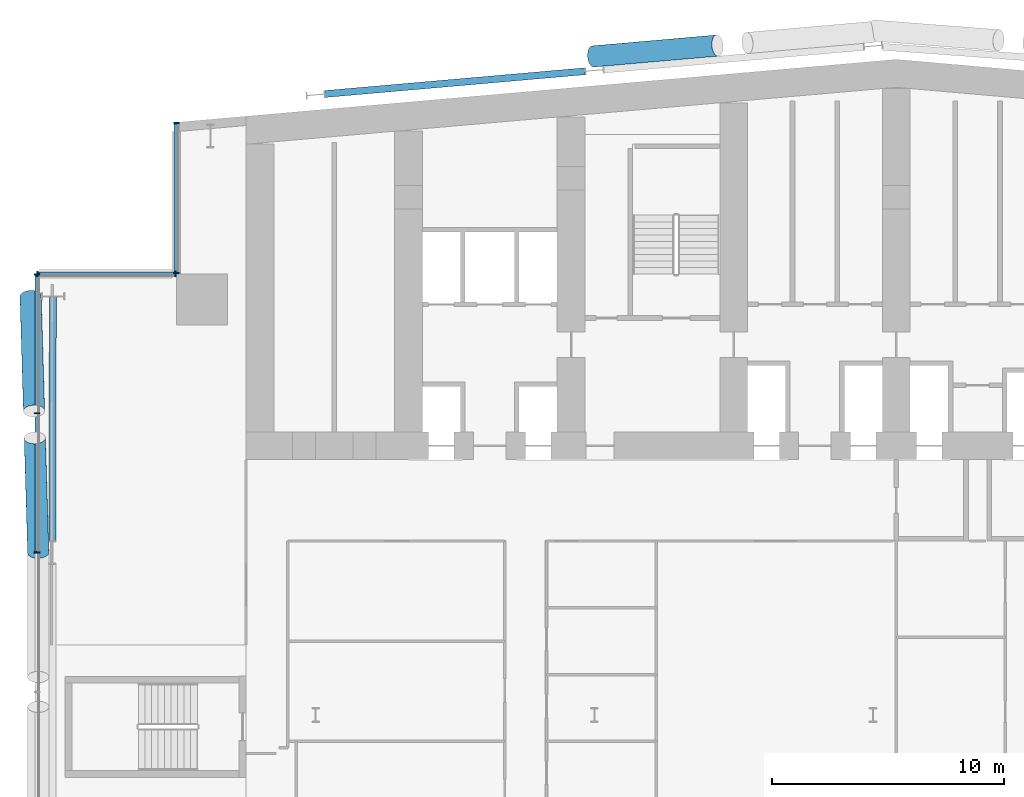
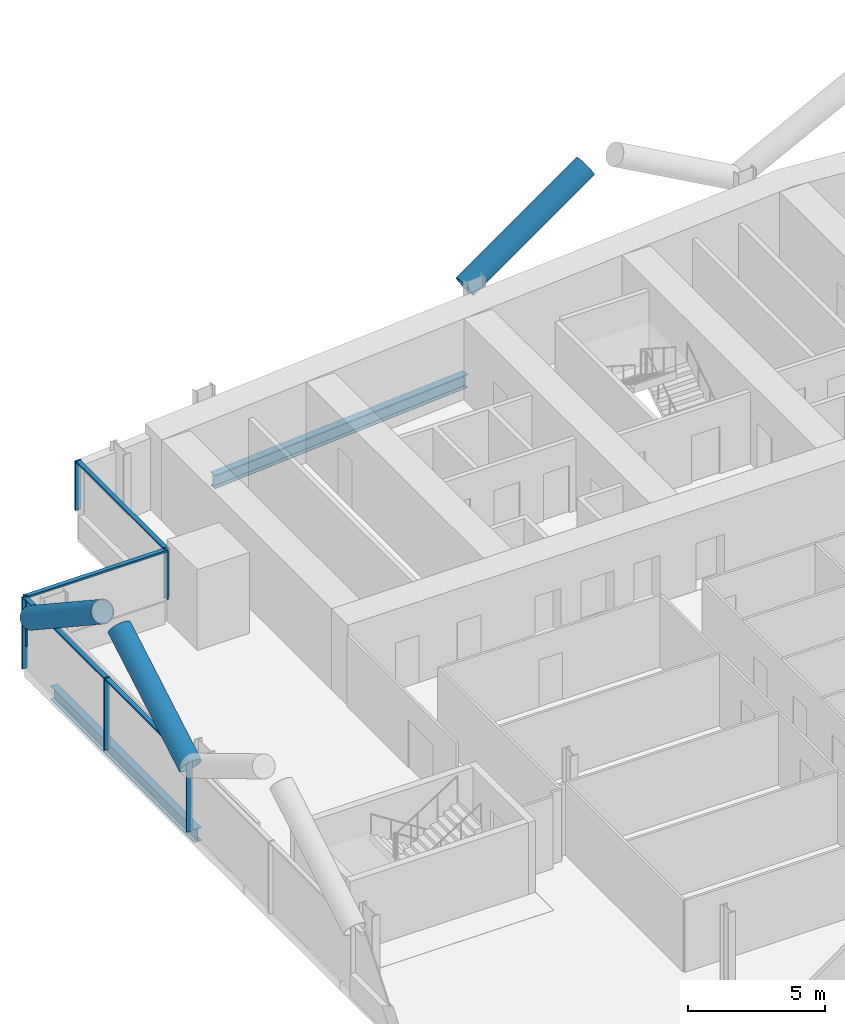
# One storey, part 7 of 27: 14 members, 2 beams, 3 elements without a shape of their own.
"""IFC4 building model written with IfcOpenShell, lengths in metres."""

import ifcopenshell
import ifcopenshell.guid

model = None  # the IFC model being written
_history = None  # IfcOwnerHistory: only IFC2X3 demands one
_inside = {}  # id of a spatial element -> (the spatial element, [elements in it])
_under = {}  # id of a project, library or spatial element -> (it, [spatial elements below it])
_declared = {}  # id of a project -> (the project, [libraries it declares])
_typed = {}  # id of a type object -> (the type object, [elements of that type])
_made_of = {}  # id of a material, layer set ... -> (it, [elements and type objects made of it])


def new_model(schema):
    """Start an empty IFC model of exactly this schema.

    Asked for "IFC4X3", IfcOpenShell would pick the latest addendum, in which some entities
    have other attributes; the version numbers below select the first issue.
    IFC2X3 requires an IfcOwnerHistory on every rooted entity: one is made here for all.
    """
    global model, _history
    if schema == "IFC4X3":
        model = ifcopenshell.file(schema_version=(4, 3, 0, 0))
    else:
        model = ifcopenshell.file(schema=schema)
    _inside.clear()
    _under.clear()
    _declared.clear()
    _typed.clear()
    _made_of.clear()
    _history = None
    if model.schema == "IFC2X3":
        org = make("IfcOrganization", Name="unknown")
        user = make(
            "IfcPersonAndOrganization",
            ThePerson=make("IfcPerson", FamilyName="unknown"),
            TheOrganization=org,
        )
        app = make(
            "IfcApplication",
            ApplicationDeveloper=org,
            Version="unknown",
            ApplicationFullName="unknown",
            ApplicationIdentifier="unknown",
        )
        _history = make(
            "IfcOwnerHistory",
            OwningUser=user,
            OwningApplication=app,
            ChangeAction="ADDED",
            CreationDate=0,
        )
    return model


def make(cls, **values):
    """One entity of the class cls with the attributes given. An attribute that is None is left unset."""
    return model.create_entity(
        cls, **{name: value for name, value in values.items() if value is not None}
    )


def rooted(cls, **values):
    """An entity with a GlobalId (a new one), such as an element, a storey or a relation."""
    return make(cls, GlobalId=ifcopenshell.guid.new(), OwnerHistory=_history, **values)


def si_unit(unit_type, name, prefix=None):
    """IfcSIUnit, for example si_unit("LENGTHUNIT", "METRE", prefix="MILLI")."""
    return make("IfcSIUnit", UnitType=unit_type, Prefix=prefix, Name=name)


def assignment(units):
    """IfcUnitAssignment: the units of a project."""
    return None if units is None else make("IfcUnitAssignment", Units=units)


def point(xyz):
    """IfcCartesianPoint."""
    return None if xyz is None else make("IfcCartesianPoint", Coordinates=xyz)


def direction(xyz):
    """IfcDirection."""
    return None if xyz is None else make("IfcDirection", DirectionRatios=xyz)


def frame(location, z_axis=None, x_axis=None):
    """IfcAxis2Placement3D, a coordinate frame: its origin and axes. An axis left out is left unset."""
    return make(
        "IfcAxis2Placement3D",
        Location=point(location),
        Axis=direction(z_axis),
        RefDirection=direction(x_axis),
    )


def frame_2d(location, x_axis=None):
    """IfcAxis2Placement2D, a coordinate frame in the plane: its origin and x axis."""
    return make(
        "IfcAxis2Placement2D", Location=point(location), RefDirection=direction(x_axis)
    )


def origin():
    """The frame at (0, 0, 0) with its axes left unset."""
    return frame((0.0, 0.0, 0.0))


def origin_2d():
    """The frame at (0, 0) in the plane with its x axis left unset."""
    return frame_2d((0.0, 0.0))


def place(relative_to, where):
    """IfcLocalPlacement: puts the frame where relative to a parent placement (None: the world)."""
    return make(
        "IfcLocalPlacement", PlacementRelTo=relative_to, RelativePlacement=where
    )


def context(
    kind, dimensions, precision=None, world=None, true_north=None, identifier=None
):
    """IfcGeometricRepresentationContext, for example the 3D "Model" context."""
    return make(
        "IfcGeometricRepresentationContext",
        ContextIdentifier=identifier,
        ContextType=kind,
        CoordinateSpaceDimension=dimensions,
        Precision=precision,
        WorldCoordinateSystem=world,
        TrueNorth=true_north,
    )


def subcontext(parent, identifier, kind, view, scale=None):
    """IfcGeometricRepresentationSubContext, for example "Body" below "Model"."""
    return make(
        "IfcGeometricRepresentationSubContext",
        ContextIdentifier=identifier,
        ContextType=kind,
        ParentContext=parent,
        TargetScale=scale,
        TargetView=view,
    )


def project(units=None, contexts=None):
    """IfcProject with its units and contexts."""
    return rooted(
        "IfcProject",
        Name="project",
        RepresentationContexts=contexts,
        UnitsInContext=assignment(units),
    )


def spatial(cls, under=None, at=None, **own):
    """A site, building, storey or space (cls), placed at a placement, below another one or the project."""
    s = rooted(cls, ObjectPlacement=at, **own)
    if under is not None:
        _under.setdefault(under.id(), (under, []))[1].append(s)
    return s


def profile(cls, at=None, kind="AREA", **sizes):
    """A parametric profile (cls). Its sizes go by their IFC names, for example OverallWidth=200.0."""
    return make(cls, ProfileType=kind, Position=at, **sizes)


def rectangle(**sizes):
    """IfcRectangleProfileDef."""
    return profile("IfcRectangleProfileDef", **sizes)


def hollow_circle(**sizes):
    """IfcCircleHollowProfileDef."""
    return profile("IfcCircleHollowProfileDef", **sizes)


def i_section(**sizes):
    """IfcIShapeProfileDef."""
    return profile("IfcIShapeProfileDef", **sizes)


def extrude(swept, where, along, depth):
    """IfcExtrudedAreaSolid: the profile swept, set in the frame where, extruded along a direction by depth."""
    return make(
        "IfcExtrudedAreaSolid",
        SweptArea=swept,
        Position=where,
        ExtrudedDirection=direction(along),
        Depth=depth,
    )


def shape(context_of_items, identifier, shape_type, items):
    """IfcShapeRepresentation: the items that make up one representation, for example the "Body"."""
    return make(
        "IfcShapeRepresentation",
        ContextOfItems=context_of_items,
        RepresentationIdentifier=identifier,
        RepresentationType=shape_type,
        Items=items,
    )


def material(Name=None, Category=None):
    """IfcMaterial."""
    return make("IfcMaterial", Name=Name, Category=Category)


def material_profile(
    of_material, cross_section, Name=None, Category=None, Priority=None
):
    """IfcMaterialProfile: a cross section and its material."""
    return make(
        "IfcMaterialProfile",
        Name=Name,
        Material=of_material,
        Profile=cross_section,
        Priority=Priority,
        Category=Category,
    )


def profile_set(profiles, Name=None, composite=None):
    """IfcMaterialProfileSet."""
    return make(
        "IfcMaterialProfileSet",
        Name=Name,
        MaterialProfiles=profiles,
        CompositeProfile=composite,
    )


def made_of(thing, what):
    """Note that an element or type object is made of a material, layer set ...; save() writes the relation."""
    if what is not None:
        _made_of.setdefault(what.id(), (what, []))[1].append(thing)
    return thing


def type_object(cls, material=None, **own):
    """A type object (cls), such as IfcWallType, which elements share."""
    return made_of(rooted(cls, **own), material)


def element(
    cls,
    number,
    at=None,
    inside=None,
    cuts=None,
    type_object=None,
    material=None,
    context=None,
    identifier="Body",
    shape_type=None,
    held_by="IfcProductDefinitionShape",
    body=None,
    shapes=None,
    **own,
):
    """One element of the class cls, such as IfcWall. Its Tag is "e" and its number.

    at: its placement. inside: the storey or other place that contains it. cuts: it is an
    opening in that element (IfcRelVoidsElement). A single representation is given by context,
    identifier, shape_type and body (its items); several are given by shapes. held_by: the class
    of the entity that holds the representations. save() writes the other relations.
    """
    e = rooted(cls, Tag="e%d" % number, ObjectPlacement=at, **own)
    if body is not None:
        shapes = [shape(context, identifier, shape_type, body)]
    if shapes is not None:
        e.Representation = make(held_by, Representations=shapes)
    if inside is not None:
        _inside.setdefault(inside.id(), (inside, []))[1].append(e)
    if cuts is not None:
        rooted(
            "IfcRelVoidsElement", RelatingBuildingElement=cuts, RelatedOpeningElement=e
        )
    if type_object is not None:
        _typed.setdefault(type_object.id(), (type_object, []))[1].append(e)
    return made_of(e, material)


def aggregate(whole, parts):
    """IfcRelAggregates: a whole, such as a stair, and the parts it consists of."""
    return rooted("IfcRelAggregates", RelatingObject=whole, RelatedObjects=parts)


def save(model, path):
    """Write the relations noted so far, then the file.

    IfcRelAggregates (storeys below a building ...), IfcRelContainedInSpatialStructure (elements
    in a storey), IfcRelDefinesByType, IfcRelAssociatesMaterial and IfcRelDeclares: one each for
    every whole, place, type object, material and project.
    """
    for whole, parts in _under.values():
        aggregate(whole, parts)
    for where, things in _inside.values():
        rooted(
            "IfcRelContainedInSpatialStructure",
            RelatedElements=things,
            RelatingStructure=where,
        )
    for kind, things in _typed.values():
        rooted("IfcRelDefinesByType", RelatedObjects=things, RelatingType=kind)
    for what, things in _made_of.values():
        rooted("IfcRelAssociatesMaterial", RelatedObjects=things, RelatingMaterial=what)
    for by, libraries in _declared.values():
        rooted("IfcRelDeclares", RelatingContext=by, RelatedDefinitions=libraries)
    model.write(path)


model = new_model("IFC4")

# Units and contexts
model_context = context("Model", 3, precision=1e-05, world=origin(), true_north=direction((0.0, 1.0)))
body_context = subcontext(model_context, "Body", "Model", "MODEL_VIEW")
ifc_project = project(units=[si_unit("LENGTHUNIT", "METRE"), si_unit("AREAUNIT", "SQUARE_METRE"), si_unit("VOLUMEUNIT", "CUBIC_METRE"), si_unit("PLANEANGLEUNIT", "RADIAN"), si_unit("MASSUNIT", "GRAM", prefix="KILO")], contexts=[model_context])

# Site, building, storey
site_placement = place(None, origin())
site = spatial("IfcSite", under=ifc_project, at=site_placement, CompositionType="ELEMENT")
building_placement = place(site_placement, origin())
building = spatial("IfcBuilding", under=site, at=building_placement, Name="Wharfspan Tower", CompositionType="ELEMENT")
storey_placement = place(building_placement, frame((0.0, 0.0, 73.899902)))
storey = spatial("IfcBuildingStorey", under=building, at=storey_placement, Name="L15", CompositionType="ELEMENT", Elevation=73.899902)

# Beams
ifc_material_1 = material(Name="Steel S355J2", Category="steel")
ifc_material_profile_1 = material_profile(ifc_material_1, i_section(OverallWidth=0.300049, OverallDepth=0.600098, WebThickness=0.015381, FlangeThickness=0.030029, FilletRadius=0.0271, at=origin_2d()))
ifc_profile_set_1 = profile_set([ifc_material_profile_1], Name="Steel S355J2")
beam_type = type_object("IfcBeamType", Name="Edge beam HEB 600", PredefinedType="SPANDREL", material=ifc_profile_set_1)
beam_1_placement = place(storey_placement, frame((23.598633, 50.724609, -0.699951), z_axis=(-0.996194, -0.087165, 0.0), x_axis=(0.087165, -0.996194, 0.0)))
element("IfcBeam", 1, at=beam_1_placement, inside=storey, type_object=beam_type, Name="Edge beam N1 L15 R.2 to R.1", PredefinedType="SPANDREL", context=body_context, shape_type="SweptSolid", body=[
    extrude(i_section(OverallWidth=0.300049, OverallDepth=0.600098, WebThickness=0.015381, FlangeThickness=0.030029, FilletRadius=0.0271, at=origin_2d()), origin(), (0.0, 0.0, 1.0), 11.23999),
])
beam_2_placement = place(storey_placement, frame((0.684814, 41.027832, -0.699951), z_axis=(-0.002249, -0.999997, 0.0), x_axis=(0.999997, -0.002249, 0.0)))
element("IfcBeam", 2, at=beam_2_placement, inside=storey, type_object=beam_type, Name="Edge beam W L15 PNRW-H.1 to PW.1", PredefinedType="SPANDREL", context=body_context, shape_type="SweptSolid", body=[
    extrude(i_section(OverallWidth=0.300049, OverallDepth=0.600098, WebThickness=0.015381, FlangeThickness=0.030029, FilletRadius=0.0271, at=origin_2d()), origin(), (0.0, 0.0, 1.0), 10.527832),
])

# Curtain wall, members
ifc_material_2 = material(Name="Aluminium 6063-T6", Category="aluminium")
curtain_wall_type = type_object("IfcCurtainWallType", Name="CURTAIN WALL PROW AND END", PredefinedType="NOTDEFINED", material=ifc_material_2)
curtain_wall_1_placement = place(storey_placement, origin())
curtain_wall_1 = element("IfcCurtainWall", 3, at=curtain_wall_1_placement, inside=storey, type_object=curtain_wall_type, Name="Curtain wall NRW-V", PredefinedType="NOTDEFINED")
ifc_material_profile_2 = material_profile(ifc_material_2, rectangle(XDim=0.23999, YDim=0.060059, at=origin_2d()))
ifc_profile_set_2 = profile_set([ifc_material_profile_2], Name="Aluminium 6063-T6")
member_type_1 = type_object("IfcMemberType", Name="MULLION PROW AND END 60x240", PredefinedType="MULLION", material=ifc_profile_set_2)
member_1_placement = place(storey_placement, frame((6.0, 48.494873, 1.0), z_axis=(0.0, 0.0, 1.0), x_axis=(1.0, 0.0, 0.0)))
member_1 = element("IfcMember", 4, at=member_1_placement, type_object=member_type_1, Name="Curtain wall NRW-V mullion 1", PredefinedType="MULLION", context=body_context, shape_type="SweptSolid", body=[
    extrude(rectangle(XDim=0.23999, YDim=0.060059, at=origin_2d()), origin(), (0.0, 0.0, 1.0), 2.200195),
])
member_2_placement = place(storey_placement, frame((6.0, 42.030029, 1.0), z_axis=(0.0, 0.0, 1.0), x_axis=(1.0, 0.0, 0.0)))
member_2 = element("IfcMember", 5, at=member_2_placement, type_object=member_type_1, Name="Curtain wall NRW-V mullion 2", PredefinedType="MULLION", context=body_context, shape_type="SweptSolid", body=[
    extrude(rectangle(XDim=0.23999, YDim=0.060059, at=origin_2d()), origin(), (0.0, 0.0, 1.0), 2.200195),
])

curtain_wall_2_placement = place(storey_placement, origin())
curtain_wall_2 = element("IfcCurtainWall", 6, at=curtain_wall_2_placement, inside=storey, type_object=curtain_wall_type, Name="Curtain wall NRW-H", PredefinedType="NOTDEFINED")
member_3_placement = place(storey_placement, frame((5.969971, 42.0, 1.0), z_axis=(0.0, 0.0, 1.0), x_axis=(0.0, -1.0, 0.0)))
member_3 = element("IfcMember", 7, at=member_3_placement, type_object=member_type_1, Name="Curtain wall NRW-H mullion 1", PredefinedType="MULLION", context=body_context, shape_type="SweptSolid", body=[
    extrude(rectangle(XDim=0.23999, YDim=0.060059, at=origin_2d()), origin(), (0.0, 0.0, 1.0), 2.200195),
])
member_4_placement = place(storey_placement, frame((0.030029, 42.0, 1.0), z_axis=(0.0, 0.0, 1.0), x_axis=(0.0, -1.0, 0.0)))
member_4 = element("IfcMember", 8, at=member_4_placement, type_object=member_type_1, Name="Curtain wall NRW-H mullion 2", PredefinedType="MULLION", context=body_context, shape_type="SweptSolid", body=[
    extrude(rectangle(XDim=0.23999, YDim=0.060059, at=origin_2d()), origin(), (0.0, 0.0, 1.0), 2.200195),
])

curtain_wall_3_placement = place(storey_placement, origin())
curtain_wall_3 = element("IfcCurtainWall", 9, at=curtain_wall_3_placement, inside=storey, type_object=curtain_wall_type, Name="Curtain wall W", PredefinedType="NOTDEFINED")
member_5_placement = place(storey_placement, frame((0.0, 41.969971, 0.0), z_axis=(0.0, 0.0, 1.0), x_axis=(1.0, 0.0, 0.0)))
member_5 = element("IfcMember", 10, at=member_5_placement, type_object=member_type_1, Name="Curtain wall W mullion 1", PredefinedType="MULLION", context=body_context, shape_type="SweptSolid", body=[
    extrude(rectangle(XDim=0.23999, YDim=0.060059, at=origin_2d()), origin(), (0.0, 0.0, 1.0), 3.200195),
])
member_6_placement = place(storey_placement, frame((0.0, 36.0, 0.0), z_axis=(0.0, 0.0, 1.0), x_axis=(1.0, 0.0, 0.0)))
member_6 = element("IfcMember", 11, at=member_6_placement, type_object=member_type_1, Name="Curtain wall W mullion 2", PredefinedType="MULLION", context=body_context, shape_type="SweptSolid", body=[
    extrude(rectangle(XDim=0.23999, YDim=0.060059, at=origin_2d()), origin(), (0.0, 0.0, 1.0), 3.200195),
])
member_7_placement = place(storey_placement, frame((0.0, 30.0, 0.0), z_axis=(0.0, 0.0, 1.0), x_axis=(1.0, 0.0, 0.0)))
member_7 = element("IfcMember", 12, at=member_7_placement, type_object=member_type_1, Name="Curtain wall W mullion 3", PredefinedType="MULLION", context=body_context, shape_type="SweptSolid", body=[
    extrude(rectangle(XDim=0.23999, YDim=0.060059, at=origin_2d()), origin(), (0.0, 0.0, 1.0), 3.200195),
])

# Members
ifc_material_3 = material(Name="Steel S460NH", Category="steel")
ifc_material_profile_3 = material_profile(ifc_material_3, hollow_circle(Radius=0.457031, WallThickness=0.040039, at=origin_2d()))
ifc_profile_set_3 = profile_set([ifc_material_profile_3], Name="Steel S460NH")
member_type_2 = type_object("IfcMemberType", Name="Mega brace CHS 914x40", PredefinedType="BRACE", material=ifc_profile_set_3)
for number, where, z_axis, x_axis, name in (
    (13, (-0.273193, 41.03418, 2.900146), (0.0249, -0.837221, 0.546298), (0.999556, 0.02973, 3e-06), "Mega brace W4 L16 part 1"),
    (14, (0.054932, 30.0, 2.900146), (-0.0249, 0.837221, 0.546298), (-0.999556, -0.02973, 3e-06), "Mega brace W4 L16 part 3"),
):
    element("IfcMember", number, at=place(storey_placement, frame(where, z_axis=z_axis, x_axis=x_axis)), inside=storey, type_object=member_type_2, Name=name, PredefinedType="BRACE", context=body_context, shape_type="SweptSolid", body=[
        extrude(hollow_circle(Radius=0.457031, WallThickness=0.040039, at=origin_2d()), origin(), (0.0, 0.0, 1.0), 5.892822),
    ])
member_8_placement = place(storey_placement, frame((23.947266, 51.363037, 2.900146), z_axis=(0.855094, 0.074809, 0.513048), x_axis=(-0.087154, 0.996195, 1e-06)))
element("IfcMember", 15, at=member_8_placement, inside=storey, type_object=member_type_2, Name="Mega brace N7 L16 part 1", PredefinedType="BRACE", context=body_context, shape_type="SweptSolid", body=[
    extrude(hollow_circle(Radius=0.457031, WallThickness=0.040039, at=origin_2d()), origin(), (0.0, 0.0, 1.0), 6.256104),
])

# Member
ifc_material_profile_4 = material_profile(ifc_material_2, rectangle(XDim=0.179932, YDim=0.080078, at=origin_2d()))
ifc_profile_set_4 = profile_set([ifc_material_profile_4], Name="Aluminium 6063-T6")
member_type_3 = type_object("IfcMemberType", Name="TRANSOM PROW AND END 80x180", PredefinedType="USERDEFINED", material=ifc_profile_set_4)
member_9_placement = place(storey_placement, frame((6.0, 48.464844, 3.160156), z_axis=(0.0, -1.0, 0.0), x_axis=(1.0, 0.0, 0.0)))
member_9 = element("IfcMember", 16, at=member_9_placement, type_object=member_type_3, Name="Curtain wall NRW-V transom 1", ObjectType="TRANSOM", PredefinedType="USERDEFINED", context=body_context, shape_type="SweptSolid", body=[
    extrude(rectangle(XDim=0.179932, YDim=0.080078, at=origin_2d()), origin(), (0.0, 0.0, 1.0), 6.404785),
])

aggregate(curtain_wall_1, [member_1, member_2, member_9])

member_10_placement = place(storey_placement, frame((5.939941, 42.0, 3.160156), z_axis=(-1.0, 0.0, 0.0), x_axis=(0.0, -1.0, 0.0)))
member_10 = element("IfcMember", 17, at=member_10_placement, type_object=member_type_3, Name="Curtain wall NRW-H transom 1", ObjectType="TRANSOM", PredefinedType="USERDEFINED", context=body_context, shape_type="SweptSolid", body=[
    extrude(rectangle(XDim=0.179932, YDim=0.080078, at=origin_2d()), origin(), (0.0, 0.0, 1.0), 5.879883),
])

aggregate(curtain_wall_2, [member_3, member_4, member_10])

member_11_placement = place(storey_placement, frame((0.0, 41.939941, 3.160156), z_axis=(0.0, -1.0, 0.0), x_axis=(1.0, 0.0, 0.0)))
member_11 = element("IfcMember", 18, at=member_11_placement, type_object=member_type_3, Name="Curtain wall W transom 1", ObjectType="TRANSOM", PredefinedType="USERDEFINED", context=body_context, shape_type="SweptSolid", body=[
    extrude(rectangle(XDim=0.179932, YDim=0.080078, at=origin_2d()), origin(), (0.0, 0.0, 1.0), 5.909912),
])

member_12_placement = place(storey_placement, frame((0.0, 35.969971, 3.160156), z_axis=(0.0, -1.0, 0.0), x_axis=(1.0, 0.0, 0.0)))
member_12 = element("IfcMember", 19, at=member_12_placement, type_object=member_type_3, Name="Curtain wall W transom 2", ObjectType="TRANSOM", PredefinedType="USERDEFINED", context=body_context, shape_type="SweptSolid", body=[
    extrude(rectangle(XDim=0.179932, YDim=0.080078, at=origin_2d()), origin(), (0.0, 0.0, 1.0), 5.939941),
])

aggregate(curtain_wall_3, [member_5, member_6, member_7, member_11, member_12])

save(model, "model.ifc")
